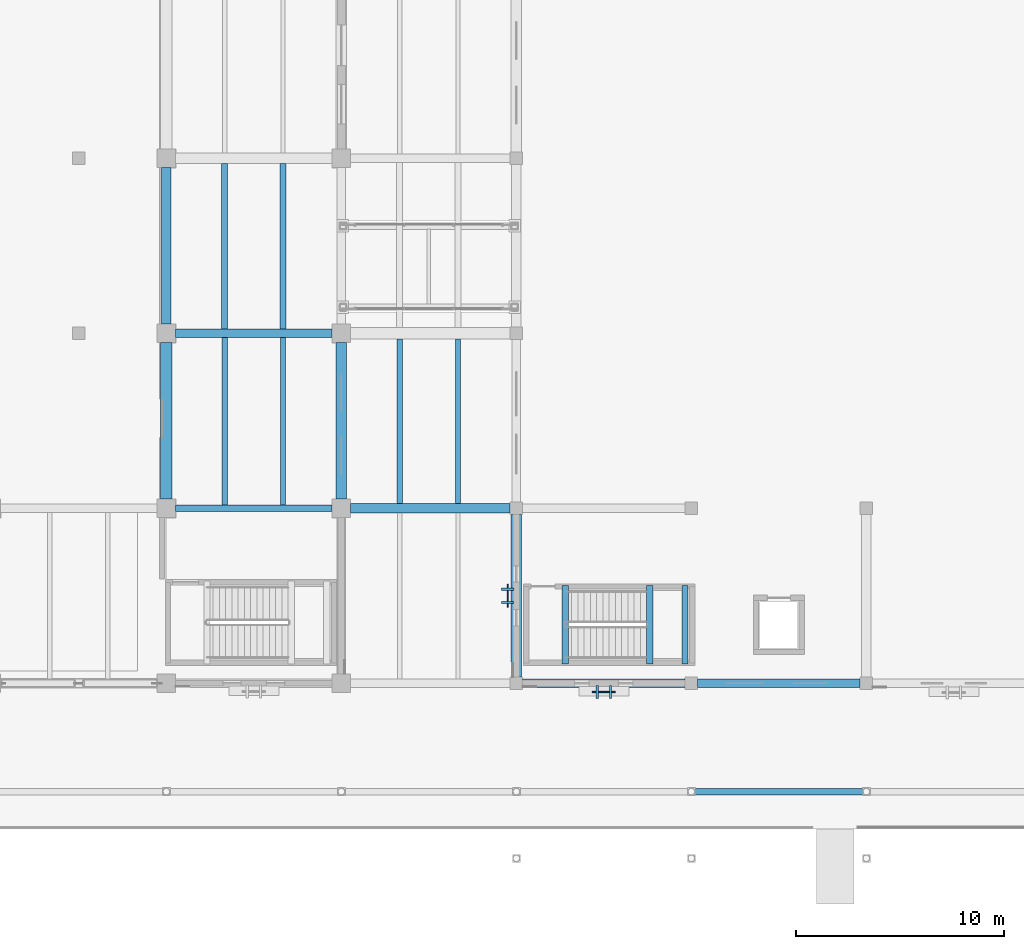
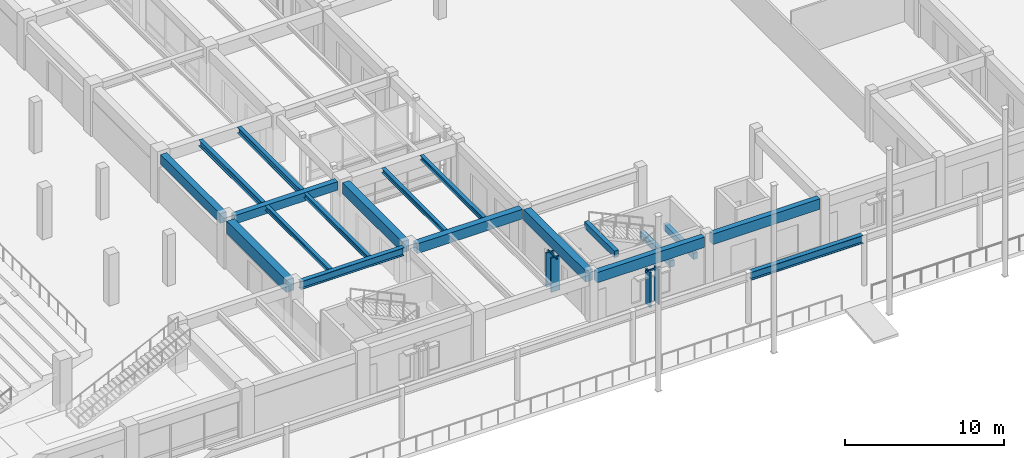
# One storey, part 29 of 135: 19 beams, 6 members, 2 elements without a shape of their own.
"""IFC4 building model written with IfcOpenShell, lengths in metres."""

from ifc_helpers import new_model, si_unit, direction, frame, origin, origin_2d, place, context, subcontext, project, spatial, rectangle, i_section, extrude, material, material_profile, profile_set, type_object, element, aggregate, save


model = new_model("IFC4")

# Units and contexts
model_context = context("Model", 3, precision=1e-05, world=origin(), true_north=direction((0.0, 1.0)))
body_context = subcontext(model_context, "Body", "Model", "MODEL_VIEW")
ifc_project = project(units=[si_unit("LENGTHUNIT", "METRE"), si_unit("AREAUNIT", "SQUARE_METRE"), si_unit("VOLUMEUNIT", "CUBIC_METRE"), si_unit("PLANEANGLEUNIT", "RADIAN"), si_unit("MASSUNIT", "GRAM", prefix="KILO")], contexts=[model_context])

# Site, building, storey
site_placement = place(None, origin())
site = spatial("IfcSite", under=ifc_project, at=site_placement, CompositionType="ELEMENT")
building_placement = place(site_placement, origin())
building = spatial("IfcBuilding", under=site, at=building_placement, Name="Cumbredor Promenade Congress Hotel", CompositionType="ELEMENT")
storey_placement = place(building_placement, origin())
storey = spatial("IfcBuildingStorey", under=building, at=storey_placement, Name="L00", CompositionType="ELEMENT", Elevation=0.0)

# Beams
ifc_material_1 = material(Name="Concrete C40/50", Category="concrete")
ifc_material_profile_1 = material_profile(ifc_material_1, rectangle(XDim=0.39990234375, YDim=0.64990234375, at=origin_2d()), Name="RC BEAM 400x650")
ifc_profile_set_1 = profile_set([ifc_material_profile_1], Name="Concrete C40/50")
beam_type_1 = type_object("IfcBeamType", Name="BM-RC-400x650", PredefinedType="BEAM", material=ifc_profile_set_1)
beam_1_placement = place(storey_placement, frame((59.25, 25.199951171875, 3.31494140625), z_axis=(1.0, 0.0, 0.0), x_axis=(0.0, 1.0, 0.0)))
element("IfcBeam", 1, at=beam_1_placement, inside=storey, type_object=beam_type_1, Name="L01 X-Grid Beam 090", PredefinedType="BEAM", context=body_context, shape_type="SweptSolid", body=[
    extrude(rectangle(XDim=0.39990234375, YDim=0.64990234375, at=origin_2d()), origin(), (0.0, 0.0, 1.0), 7.5),
])
ifc_material_profile_2 = material_profile(ifc_material_1, rectangle(XDim=0.449951171875, YDim=0.75, at=origin_2d()), Name="RC BEAM 450x750")
ifc_profile_set_2 = profile_set([ifc_material_profile_2], Name="Concrete C40/50")
beam_type_2 = type_object("IfcBeamType", Name="BM-RC-450x750", PredefinedType="BEAM", material=ifc_profile_set_2)
beam_2_placement = place(storey_placement, frame((58.800048828125, 25.64990234375, 3.264892578125), z_axis=(0.0, 1.0, 0.0), x_axis=(-1.0, 0.0, 0.0)))
element("IfcBeam", 2, at=beam_2_placement, inside=storey, type_object=beam_type_2, Name="L01 Y-Grid Beam 091", PredefinedType="BEAM", context=body_context, shape_type="SweptSolid", body=[
    extrude(rectangle(XDim=0.449951171875, YDim=0.75, at=origin_2d()), origin(), (0.0, 0.0, 1.0), 7.5),
])
beam_3_placement = place(storey_placement, frame((67.64990234375, 16.800048828125, 3.264892578125), z_axis=(1.0, 0.0, 0.0), x_axis=(0.0, 1.0, 0.0)))
element("IfcBeam", 3, at=beam_3_placement, inside=storey, type_object=beam_type_2, Name="L01 X-Grid Beam 111", PredefinedType="BEAM", context=body_context, shape_type="SweptSolid", body=[
    extrude(rectangle(XDim=0.449951171875, YDim=0.75, at=origin_2d()), origin(), (0.0, 0.0, 1.0), 7.650146484375),
])
ifc_material_profile_3 = material_profile(ifc_material_1, rectangle(XDim=0.5, YDim=0.85009765625, at=origin_2d()), Name="RC BEAM 500x850")
ifc_profile_set_3 = profile_set([ifc_material_profile_3], Name="Concrete C40/50")
beam_type_3 = type_object("IfcBeamType", Name="BM-RC-500x850", PredefinedType="BEAM", material=ifc_profile_set_3)
beam_4_placement = place(storey_placement, frame((67.199951171875, 17.25, 3.215087890625), z_axis=(0.0, 1.0, 0.0), x_axis=(-1.0, 0.0, 0.0)))
element("IfcBeam", 4, at=beam_4_placement, inside=storey, type_object=beam_type_3, Name="L01 Y-Grid Beam 112", PredefinedType="BEAM", context=body_context, shape_type="SweptSolid", body=[
    extrude(rectangle(XDim=0.5, YDim=0.85009765625, at=origin_2d()), origin(), (0.0, 0.0, 1.0), 7.5),
])
beam_5_placement = place(storey_placement, frame((75.60009765625, 8.699951171875, 3.215087890625), z_axis=(0.0, 1.0, 0.0), x_axis=(-1.0, 0.0, 0.0)))
element("IfcBeam", 5, at=beam_5_placement, inside=storey, type_object=beam_type_3, Name="L01 Y-Grid Beam 132", PredefinedType="BEAM", context=body_context, shape_type="SweptSolid", body=[
    extrude(rectangle(XDim=0.5, YDim=0.85009765625, at=origin_2d()), origin(), (0.0, 0.0, 1.0), 7.800048828125),
])
ifc_material_profile_4 = material_profile(ifc_material_1, rectangle(XDim=0.550048828125, YDim=0.949951171875, at=origin_2d()), Name="RC BEAM 550x950")
ifc_profile_set_4 = profile_set([ifc_material_profile_4], Name="Concrete C40/50")
beam_type_4 = type_object("IfcBeamType", Name="BM-RC-550x950", PredefinedType="BEAM", material=ifc_profile_set_4)
beam_6_placement = place(storey_placement, frame((58.800048828125, 17.25, 3.1650390625), z_axis=(0.0, 1.0, 0.0), x_axis=(-1.0, 0.0, 0.0)))
element("IfcBeam", 6, at=beam_6_placement, inside=storey, type_object=beam_type_4, Name="L01 Y-Grid Beam 089", PredefinedType="BEAM", context=body_context, shape_type="SweptSolid", body=[
    extrude(rectangle(XDim=0.550048828125, YDim=0.949951171875, at=origin_2d()), origin(), (0.0, 0.0, 1.0), 7.5),
])
ifc_material_2 = material(Name="Steel ASTM A992 Grade 50", Category="steel")
ifc_material_profile_5 = material_profile(ifc_material_2, i_section(OverallWidth=0.323974609375, OverallDepth=0.611083984375, WebThickness=0.0126953125, FlangeThickness=0.01904296875, at=origin_2d()), Name="W24X104")
ifc_profile_set_5 = profile_set([ifc_material_profile_5], Name="Steel ASTM A992 Grade 50")
beam_type_5 = type_object("IfcBeamType", Name="BM-W24X104", PredefinedType="BEAM", material=ifc_profile_set_5)
beam_7_placement = place(storey_placement, frame((84.139892578125, 3.199951171875, 3.60009765625), z_axis=(1.0, 0.0, 0.0), x_axis=(0.0, 1.0, 0.0)))
element("IfcBeam", 7, at=beam_7_placement, inside=storey, type_object=beam_type_5, Name="Riverside Colonnade Edge Beam 10", PredefinedType="BEAM", context=body_context, shape_type="SweptSolid", body=[
    extrude(i_section(OverallWidth=0.323974609375, OverallDepth=0.611083984375, WebThickness=0.0126953125, FlangeThickness=0.01904296875, at=origin_2d()), origin(), (0.0, 0.0, 1.0), 8.1201171875),
])
beam_8_placement = place(storey_placement, frame((59.25, 16.800048828125, 3.33447265625), z_axis=(1.0, 0.0, 0.0), x_axis=(0.0, 1.0, 0.0)))
element("IfcBeam", 8, at=beam_8_placement, inside=storey, type_object=beam_type_5, Name="L01 X-Grid Beam 088", PredefinedType="BEAM", context=body_context, shape_type="SweptSolid", body=[
    extrude(i_section(OverallWidth=0.323974609375, OverallDepth=0.611083984375, WebThickness=0.0126953125, FlangeThickness=0.01904296875, at=origin_2d()), origin(), (0.0, 0.0, 1.0), 7.5),
])

# Curtain wall, member
ifc_material_3 = material(Name="Thermally broken anodized aluminium and low-E glass", Category="aluminium")
curtain_wall_type = type_object("IfcCurtainWallType", Name="Solar Brise-Soleil Screen Assembly CW-07", PredefinedType="NOTDEFINED", material=ifc_material_3)
curtain_wall_1_placement = place(storey_placement, origin())
curtain_wall_1 = element("IfcCurtainWall", 9, at=curtain_wall_1_placement, inside=storey, type_object=curtain_wall_type, Name="L00 Pier Brise-Soleil Screen 0031", PredefinedType="NOTDEFINED")
ifc_material_4 = material(Name="Thermally broken anodized aluminium", Category="aluminium")
ifc_material_profile_6 = material_profile(ifc_material_4, rectangle(XDim=0.06494140625, YDim=0.1298828125, at=origin_2d()), Name="ALU TRANSOM 65x130")
ifc_profile_set_6 = profile_set([ifc_material_profile_6], Name="Thermally broken anodized aluminium")
member_type_1 = type_object("IfcMemberType", Name="Curtain Wall Transom TR-01", PredefinedType="USERDEFINED", material=ifc_profile_set_6)
member_1_placement = place(storey_placement, frame((79.25, 7.989990234375, 2.6650390625), z_axis=(1.0, 0.0, 0.0), x_axis=(0.0, 1.0, 0.0)))
member_1 = element("IfcMember", 10, at=member_1_placement, type_object=member_type_1, Name="L00 Pier Brise-Soleil Header 0033", ObjectType="TRANSOM", PredefinedType="USERDEFINED", context=body_context, shape_type="SweptSolid", body=[
    extrude(rectangle(XDim=0.06494140625, YDim=0.1298828125, at=origin_2d()), origin(), (0.0, 0.0, 1.0), 1.10009765625),
])

curtain_wall_2_placement = place(storey_placement, origin())
curtain_wall_2 = element("IfcCurtainWall", 11, at=curtain_wall_2_placement, inside=storey, type_object=curtain_wall_type, Name="L00 Pier Brise-Soleil Screen 0040", PredefinedType="NOTDEFINED")
member_2_placement = place(storey_placement, frame((75.18994140625, 12.050048828125, 2.614990234375), z_axis=(0.0, 1.0, 0.0), x_axis=(-1.0, 0.0, 0.0)))
member_2 = element("IfcMember", 12, at=member_2_placement, type_object=member_type_1, Name="L00 Pier Brise-Soleil Header 0042", ObjectType="TRANSOM", PredefinedType="USERDEFINED", context=body_context, shape_type="SweptSolid", body=[
    extrude(rectangle(XDim=0.06494140625, YDim=0.1298828125, at=origin_2d()), origin(), (0.0, 0.0, 1.0), 1.099853515625),
])

# Beams
ifc_material_profile_7 = material_profile(ifc_material_2, i_section(OverallWidth=0.2548828125, OverallDepth=0.35693359375, WebThickness=0.010498046875, FlangeThickness=0.018310546875, at=origin_2d()), Name="W14X68")
ifc_profile_set_7 = profile_set([ifc_material_profile_7], Name="Steel ASTM A992 Grade 50")
beam_type_6 = type_object("IfcBeamType", Name="JST-W14X68", PredefinedType="JOIST", material=ifc_profile_set_7)
for number, where, z_axis, x_axis, name in (
    (13, (61.60009765625, 16.9619140625, 3.46142578125), (0.0, 1.0, 0.0), (-1.0, 0.0, 0.0), "L01 Secondary Floor Joist 0044"),
    (14, (64.39990234375, 16.9619140625, 3.46142578125), (0.0, 1.0, 0.0), (-1.0, 0.0, 0.0), "L01 Secondary Floor Joist 0045"),
):
    element("IfcBeam", number, at=place(storey_placement, frame(where, z_axis=z_axis, x_axis=x_axis)), inside=storey, type_object=beam_type_6, Name=name, PredefinedType="JOIST", context=body_context, shape_type="SweptSolid", body=[
        extrude(i_section(OverallWidth=0.2548828125, OverallDepth=0.35693359375, WebThickness=0.010498046875, FlangeThickness=0.018310546875, at=origin_2d()), origin(), (0.0, 0.0, 1.0), 8.0380859375),
    ])
for number, where, z_axis, x_axis, name in (
    (15, (70.0, 17.02490234375, 3.46142578125), (0.0, 1.0, 0.0), (-1.0, 0.0, 0.0), "L01 Secondary Floor Joist 0064"),
    (16, (72.800048828125, 17.02490234375, 3.46142578125), (0.0, 1.0, 0.0), (-1.0, 0.0, 0.0), "L01 Secondary Floor Joist 0065"),
):
    element("IfcBeam", number, at=place(storey_placement, frame(where, z_axis=z_axis, x_axis=x_axis)), inside=storey, type_object=beam_type_6, Name=name, PredefinedType="JOIST", context=body_context, shape_type="SweptSolid", body=[
        extrude(i_section(OverallWidth=0.2548828125, OverallDepth=0.35693359375, WebThickness=0.010498046875, FlangeThickness=0.018310546875, at=origin_2d()), origin(), (0.0, 0.0, 1.0), 7.900146484375),
    ])
ifc_material_profile_8 = material_profile(ifc_material_2, i_section(OverallWidth=0.280029296875, OverallDepth=0.462890625, WebThickness=0.0107421875, FlangeThickness=0.017333984375, at=origin_2d()), Name="W18X76")
ifc_profile_set_8 = profile_set([ifc_material_profile_8], Name="Steel ASTM A992 Grade 50")
beam_type_7 = type_object("IfcBeamType", Name="JST-W18X76", PredefinedType="JOIST", material=ifc_profile_set_8)
for number, where, z_axis, x_axis, name in (
    (17, (61.60009765625, 25.39990234375, 3.408447265625), (0.0, 1.0, 0.0), (-1.0, 0.0, 0.0), "L01 Secondary Floor Joist 0046"),
    (18, (64.39990234375, 25.39990234375, 3.408447265625), (0.0, 1.0, 0.0), (-1.0, 0.0, 0.0), "L01 Secondary Floor Joist 0047"),
):
    element("IfcBeam", number, at=place(storey_placement, frame(where, z_axis=z_axis, x_axis=x_axis)), inside=storey, type_object=beam_type_7, Name=name, PredefinedType="JOIST", context=body_context, shape_type="SweptSolid", body=[
        extrude(i_section(OverallWidth=0.280029296875, OverallDepth=0.462890625, WebThickness=0.0107421875, FlangeThickness=0.017333984375, at=origin_2d()), origin(), (0.0, 0.0, 1.0), 7.9501953125),
    ])
ifc_material_profile_9 = material_profile(ifc_material_1, rectangle(XDim=0.300048828125, YDim=0.5, at=origin_2d()), Name="RC LINTEL 300x500")
ifc_profile_set_9 = profile_set([ifc_material_profile_9], Name="Concrete C40/50")
beam_type_8 = type_object("IfcBeamType", Name="LN-RC-300x500", PredefinedType="LINTEL", material=ifc_profile_set_9)
for number, where, z_axis, x_axis, name in (
    (19, (83.699951171875, 9.330078125, 1.510009765625), (0.0, 1.0, 0.0), (-1.0, 0.0, 0.0), "L00 Stair ST-11 Landing Ledger Beam E"),
    (20, (82.0, 9.330078125, 1.510009765625), (0.0, 1.0, 0.0), (-1.0, 0.0, 0.0), "L00 Stair ST-11 Landing Ledger Beam W"),
    (21, (77.949951171875, 9.330078125, 3.669921875), (0.0, 1.0, 0.0), (-1.0, 0.0, 0.0), "L01 Stair ST-11 Well Header Trimmer Beam"),
):
    element("IfcBeam", number, at=place(storey_placement, frame(where, z_axis=z_axis, x_axis=x_axis)), inside=storey, type_object=beam_type_8, Name=name, PredefinedType="LINTEL", context=body_context, shape_type="SweptSolid", body=[
        extrude(rectangle(XDim=0.300048828125, YDim=0.5, at=origin_2d()), origin(), (0.0, 0.0, 1.0), 3.77001953125),
    ])
ifc_material_profile_10 = material_profile(ifc_material_1, rectangle(XDim=0.39990234375, YDim=0.800048828125, at=origin_2d()), Name="RC SPANDREL 400x800")
ifc_profile_set_10 = profile_set([ifc_material_profile_10], Name="Concrete C40/50")
beam_type_9 = type_object("IfcBeamType", Name="SP-RC-400x800", PredefinedType="SPANDREL", material=ifc_profile_set_10)
for number, where, z_axis, x_axis, name in (
    (22, (75.89990234375, 8.39990234375, 3.239990234375), (1.0, 0.0, 0.0), (0.0, 1.0, 0.0), "L01 X-Grid Beam 131"),
    (23, (84.300048828125, 8.39990234375, 3.239990234375), (1.0, 0.0, 0.0), (0.0, 1.0, 0.0), "L01 X-Grid Beam 149"),
):
    element("IfcBeam", number, at=place(storey_placement, frame(where, z_axis=z_axis, x_axis=x_axis)), inside=storey, type_object=beam_type_9, Name=name, PredefinedType="SPANDREL", context=body_context, shape_type="SweptSolid", body=[
        extrude(rectangle(XDim=0.39990234375, YDim=0.800048828125, at=origin_2d()), origin(), (0.0, 0.0, 1.0), 7.800048828125),
    ])

# Member
ifc_material_profile_11 = material_profile(ifc_material_4, rectangle(XDim=0.110107421875, YDim=0.6201171875, at=origin_2d()), Name="ARCH FIN 110x620")
ifc_profile_set_11 = profile_set([ifc_material_profile_11], Name="Thermally broken anodized aluminium")
member_type_2 = type_object("IfcMemberType", Name="Vertical Bronze Brise-Soleil Fin BSF-02 110x620", PredefinedType="USERDEFINED", material=ifc_profile_set_11)
member_3_placement = place(storey_placement, frame((79.47998046875, 7.989990234375, 0.02001953125), z_axis=(0.0, 0.0, 1.0), x_axis=(1.0, 0.0, 0.0)))
member_3 = element("IfcMember", 24, at=member_3_placement, type_object=member_type_2, Name="L00 Pier Brise-Soleil Fin 0032", ObjectType="SOLAR FIN", PredefinedType="USERDEFINED", context=body_context, shape_type="SweptSolid", body=[
    extrude(rectangle(XDim=0.110107421875, YDim=0.6201171875, at=origin_2d()), origin(), (0.0, 0.0, 1.0), 2.68505859375),
])

member_4_placement = place(storey_placement, frame((80.1201171875, 7.989990234375, 0.02001953125), z_axis=(0.0, 0.0, 1.0), x_axis=(1.0, 0.0, 0.0)))
member_4 = element("IfcMember", 25, at=member_4_placement, type_object=member_type_2, Name="L00 Pier Brise-Soleil Fin 0033", ObjectType="SOLAR FIN", PredefinedType="USERDEFINED", context=body_context, shape_type="SweptSolid", body=[
    extrude(rectangle(XDim=0.110107421875, YDim=0.6201171875, at=origin_2d()), origin(), (0.0, 0.0, 1.0), 2.68505859375),
])

aggregate(curtain_wall_1, [member_3, member_4, member_1])

member_5_placement = place(storey_placement, frame((75.18994140625, 12.280029296875, 0.02001953125), z_axis=(0.0, 0.0, 1.0), x_axis=(0.0, 1.0, 0.0)))
member_5 = element("IfcMember", 26, at=member_5_placement, type_object=member_type_2, Name="L00 Pier Brise-Soleil Fin 0041", ObjectType="SOLAR FIN", PredefinedType="USERDEFINED", context=body_context, shape_type="SweptSolid", body=[
    extrude(rectangle(XDim=0.110107421875, YDim=0.6201171875, at=origin_2d()), origin(), (0.0, 0.0, 1.0), 2.635009765625),
])

member_6_placement = place(storey_placement, frame((75.18994140625, 12.919921875, 0.02001953125), z_axis=(0.0, 0.0, 1.0), x_axis=(0.0, 1.0, 0.0)))
member_6 = element("IfcMember", 27, at=member_6_placement, type_object=member_type_2, Name="L00 Pier Brise-Soleil Fin 0042", ObjectType="SOLAR FIN", PredefinedType="USERDEFINED", context=body_context, shape_type="SweptSolid", body=[
    extrude(rectangle(XDim=0.110107421875, YDim=0.6201171875, at=origin_2d()), origin(), (0.0, 0.0, 1.0), 2.635009765625),
])

aggregate(curtain_wall_2, [member_5, member_6, member_2])

save(model, "model.ifc")
